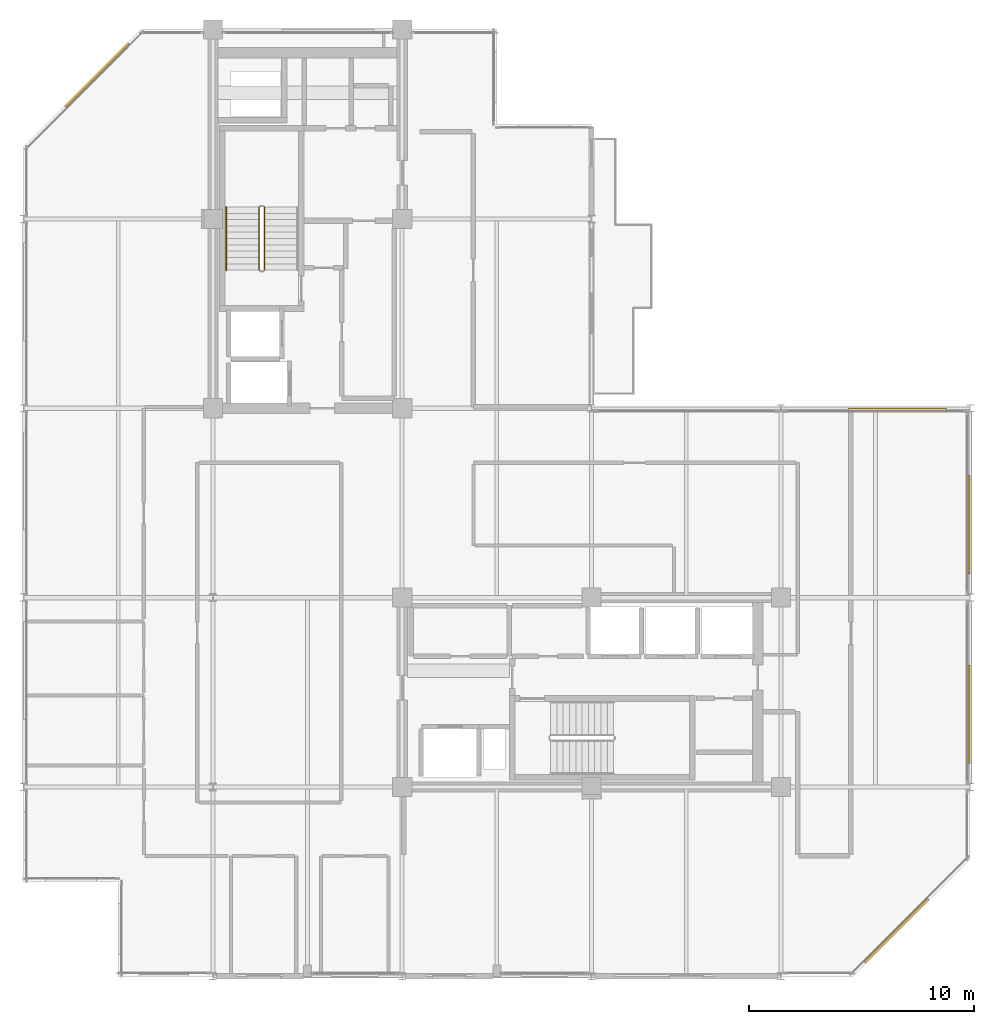
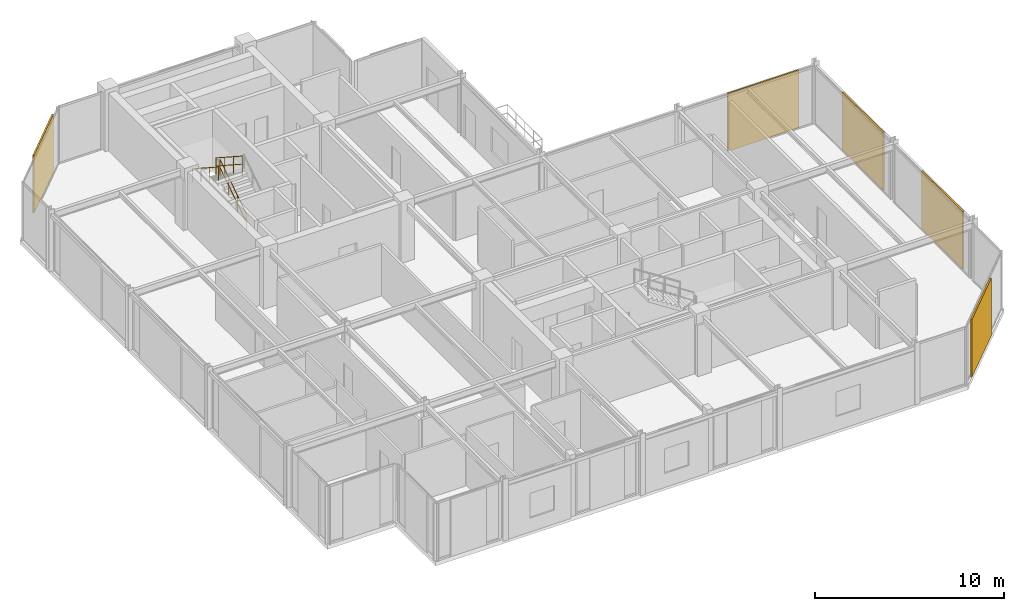
# One storey, part 25 of 26: 5 coverings, 3 railings.
"""IFC4 building model written with IfcOpenShell, lengths in metres."""

from ifc_helpers import new_model, si_unit, direction, frame, origin, origin_2d, place, context, subcontext, project, spatial, rectangle, circle, extrude, material, layer, layer_set, type_object, element, save


model = new_model("IFC4")

# Units and contexts
model_context = context("Model", 3, precision=1e-05, world=origin(), true_north=direction((0.0, 1.0)))
body_context = subcontext(model_context, "Body", "Model", "MODEL_VIEW")
ifc_project = project(units=[si_unit("LENGTHUNIT", "METRE"), si_unit("AREAUNIT", "SQUARE_METRE"), si_unit("VOLUMEUNIT", "CUBIC_METRE"), si_unit("PLANEANGLEUNIT", "RADIAN"), si_unit("MASSUNIT", "GRAM", prefix="KILO")], contexts=[model_context])

# Site, building, storey
site_placement = place(None, origin())
site = spatial("IfcSite", under=ifc_project, at=site_placement, CompositionType="ELEMENT")
building_placement = place(site_placement, origin())
building = spatial("IfcBuilding", under=site, at=building_placement, Name="Nerrivon Quay Data Exchange", CompositionType="ELEMENT")
storey_placement = place(building_placement, frame((0.0, 0.0, 274.199951171875)))
storey = spatial("IfcBuildingStorey", under=building, at=storey_placement, Name="L65", CompositionType="ELEMENT", Elevation=274.199951171875)

# Coverings
ifc_material_1 = material(Name="Architectural terracotta ceramic", Category="masonry")
ifc_layer = layer(ifc_material_1, 0.090087890625)
ifc_layer_set = layer_set([ifc_layer], Name="Architectural terracotta ceramic")
covering_type = type_object("IfcCoveringType", Name="COV-SCR-TERR", PredefinedType="CLADDING", material=ifc_layer_set)
for number, where, z_axis, x_axis, name in (
    (1, (38.744140625, 2.0078125, 0.0), (0.0, 0.0, 1.0), (-0.707106781187, -0.707106781187, 0.0), "L65 Perforated Terracotta SOLAR SCREEN Cassette"),
    (2, (3.255859375, 39.9921875, 0.0), (0.0, 0.0, 1.0), (0.707106781187, 0.707106781187, 0.0), "L65 Perforated Terracotta SOLAR SCREEN Cassette"),
):
    element("IfcCovering", number, at=place(storey_placement, frame(where, z_axis=z_axis, x_axis=x_axis)), inside=storey, type_object=covering_type, Name=name, PredefinedType="CLADDING", context=body_context, shape_type="SweptSolid", body=[
        extrude(rectangle(XDim=3.970947265625, YDim=0.090087890625, at=origin_2d()), origin(), (0.0, 0.0, 1.0), 3.72509765625),
    ])
covering_placement = place(storey_placement, frame((38.770751953125, 25.155029296875, 0.0), z_axis=(0.0, 0.0, 1.0), x_axis=(1.0, 0.0, 0.0)))
element("IfcCovering", 3, at=covering_placement, inside=storey, type_object=covering_type, Name="L65 Perforated Terracotta SOLAR SCREEN Cassette", PredefinedType="CLADDING", context=body_context, shape_type="SweptSolid", body=[
    extrude(rectangle(XDim=4.367919921875, YDim=0.090087890625, at=origin_2d()), origin(), (0.0, 0.0, 1.0), 3.72509765625),
])
for number, where, z_axis, x_axis, name in (
    (4, (41.955078125, 20.03125, 0.0), (0.0, 0.0, 1.0), (0.0, -1.0, 0.0), "L65 Perforated Terracotta SOLAR SCREEN Cassette"),
    (5, (41.955078125, 11.631103515625, 0.0), (0.0, 0.0, 1.0), (0.0, -1.0, 0.0), "L65 Perforated Terracotta SOLAR SCREEN Cassette"),
):
    element("IfcCovering", number, at=place(storey_placement, frame(where, z_axis=z_axis, x_axis=x_axis)), inside=storey, type_object=covering_type, Name=name, PredefinedType="CLADDING", context=body_context, shape_type="SweptSolid", body=[
        extrude(rectangle(XDim=4.35888671875, YDim=0.090087890625, at=origin_2d()), origin(), (0.0, 0.0, 1.0), 3.72509765625),
    ])

# Railings
ifc_material_2 = material(Name="Steel Grade C350L0 (350 MPa)", Category="steel")
railing_type_1 = type_object("IfcRailingType", Name="RAIL-HAND-HR1", PredefinedType="HANDRAIL", material=ifc_material_2)
railing_1_placement = place(storey_placement, frame((9.0, 34.1298828125, 2.181884765625)))
element("IfcRailing", 6, at=railing_1_placement, inside=storey, type_object=railing_type_1, Name="L65 ST01 stair handrail 2", PredefinedType="HANDRAIL", context=body_context, shape_type="SweptSolid", body=[
    extrude(circle(Radius=0.02392578125, at=origin_2d()), frame((0.0, 0.0, 0.8759765625), z_axis=(0.0, -0.83868413941, 0.544618136222), x_axis=(1.0, 0.0, 0.0)), (0.0, 0.0, 1.0), 3.33837890625),
    extrude(circle(Radius=0.02099609375, at=origin_2d()), origin(), (0.0, 0.0, 1.0), 0.851806640625),
    extrude(circle(Radius=0.02099609375, at=origin_2d()), frame((0.0, -0.933349609375, 0.60595703125)), (0.0, 0.0, 1.0), 0.851806640625),
    extrude(circle(Radius=0.02099609375, at=origin_2d()), frame((0.0, -1.866455078125, 1.212158203125)), (0.0, 0.0, 1.0), 0.851806640625),
    extrude(circle(Radius=0.02099609375, at=origin_2d()), frame((0.0, -2.7998046875, 1.818115234375)), (0.0, 0.0, 1.0), 0.851806640625),
])
railing_type_2 = type_object("IfcRailingType", Name="RAIL-STAIR-GR1", PredefinedType="BALUSTRADE", material=ifc_material_2)
railing_2_placement = place(storey_placement, frame((10.699951171875, 31.330078125, 0.181884765625)))
element("IfcRailing", 7, at=railing_2_placement, inside=storey, type_object=railing_type_2, Name="L65 ST01 stair guard 1", PredefinedType="BALUSTRADE", context=body_context, shape_type="SweptSolid", body=[
    extrude(circle(Radius=0.02392578125, at=origin_2d()), frame((0.0, 0.0, 1.076171875), z_axis=(0.0, 0.83868413941, 0.544618136222), x_axis=(-1.0, 0.0, 0.0)), (0.0, 0.0, 1.0), 3.33837890625),
    extrude(circle(Radius=0.02392578125, at=origin_2d()), frame((0.0, 0.0, 0.550048828125), z_axis=(0.0, 0.83868413941, 0.544618136222), x_axis=(-1.0, 0.0, 0.0)), (0.0, 0.0, 1.0), 3.33837890625),
    extrude(circle(Radius=0.02099609375, at=origin_2d()), origin(), (0.0, 0.0, 1.0), 1.052001953125),
    extrude(circle(Radius=0.02099609375, at=origin_2d()), frame((0.0, 0.933349609375, 0.60595703125)), (0.0, 0.0, 1.0), 1.052001953125),
    extrude(circle(Radius=0.02099609375, at=origin_2d()), frame((0.0, 1.866455078125, 1.212158203125)), (0.0, 0.0, 1.0), 1.052001953125),
    extrude(circle(Radius=0.02099609375, at=origin_2d()), frame((0.0, 2.7998046875, 1.818115234375)), (0.0, 0.0, 1.0), 1.052001953125),
])
railing_3_placement = place(storey_placement, frame((10.449951171875, 34.1298828125, 2.181884765625)))
element("IfcRailing", 8, at=railing_3_placement, inside=storey, type_object=railing_type_2, Name="L65 ST01 stair guard 3", PredefinedType="BALUSTRADE", context=body_context, shape_type="SweptSolid", body=[
    extrude(circle(Radius=0.02392578125, at=origin_2d()), frame((0.0, 0.0, 1.076171875), z_axis=(0.0, -0.83868413941, 0.544618136222), x_axis=(1.0, 0.0, 0.0)), (0.0, 0.0, 1.0), 3.33837890625),
    extrude(circle(Radius=0.02392578125, at=origin_2d()), frame((0.0, 0.0, 0.550048828125), z_axis=(0.0, -0.83868413941, 0.544618136222), x_axis=(1.0, 0.0, 0.0)), (0.0, 0.0, 1.0), 3.33837890625),
    extrude(circle(Radius=0.02099609375, at=origin_2d()), origin(), (0.0, 0.0, 1.0), 1.052001953125),
    extrude(circle(Radius=0.02099609375, at=origin_2d()), frame((0.0, -0.933349609375, 0.60595703125)), (0.0, 0.0, 1.0), 1.052001953125),
    extrude(circle(Radius=0.02099609375, at=origin_2d()), frame((0.0, -1.866455078125, 1.212158203125)), (0.0, 0.0, 1.0), 1.052001953125),
    extrude(circle(Radius=0.02099609375, at=origin_2d()), frame((0.0, -2.7998046875, 1.818115234375)), (0.0, 0.0, 1.0), 1.052001953125),
])

save(model, "model.ifc")
